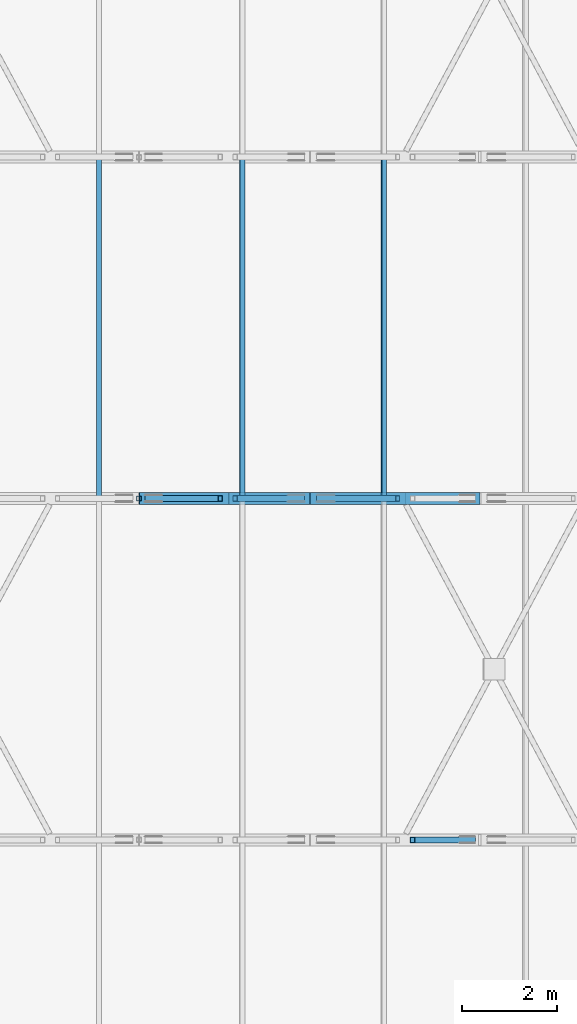
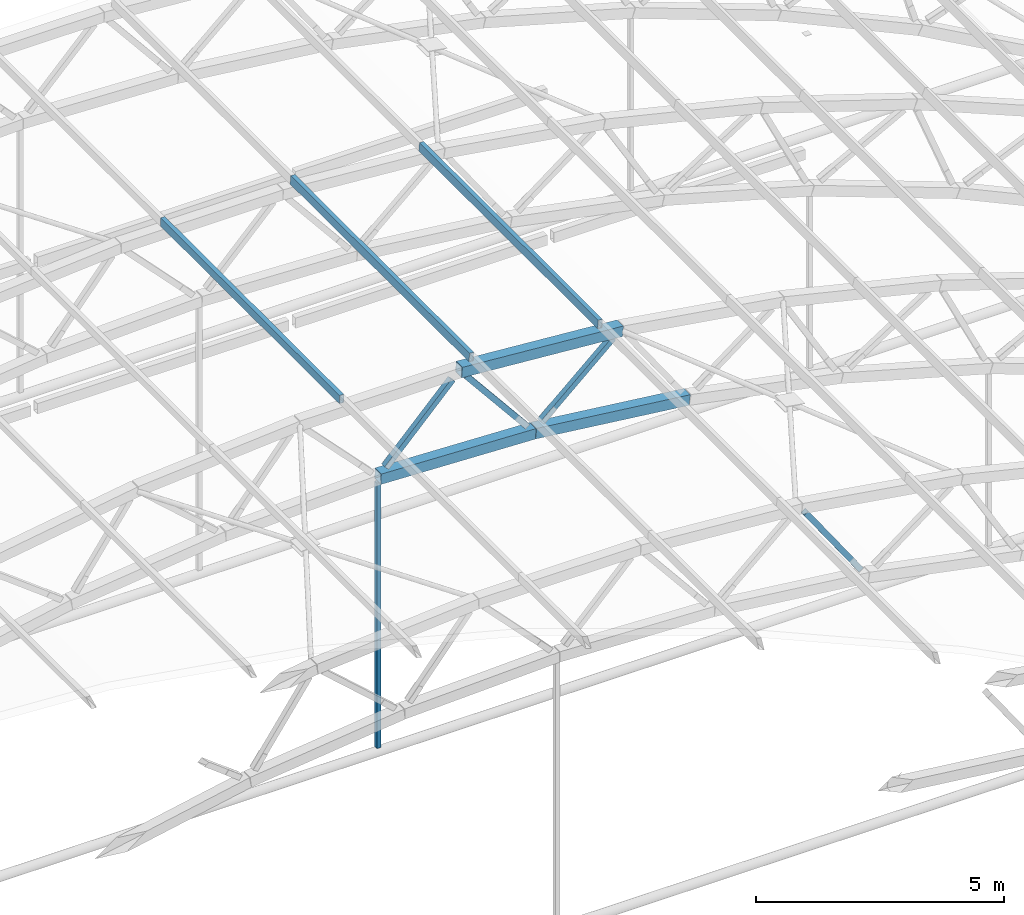
# One storey, part 22 of 127: 11 members.
"""IFC4 building model written with IfcOpenShell, lengths in metres."""

from ifc_helpers import new_model, si_unit, direction, frame, origin, origin_2d, place, context, subcontext, project, spatial, hollow_rectangle, extrude, material, material_profile, profile_set, type_object, element, save


model = new_model("IFC4")

# Units and contexts
model_context = context("Model", 3, precision=1e-05, world=origin(), true_north=direction((0.0, 1.0)))
body_context = subcontext(model_context, "Body", "Model", "MODEL_VIEW")
ifc_project = project(units=[si_unit("LENGTHUNIT", "METRE"), si_unit("AREAUNIT", "SQUARE_METRE"), si_unit("VOLUMEUNIT", "CUBIC_METRE"), si_unit("PLANEANGLEUNIT", "RADIAN"), si_unit("MASSUNIT", "GRAM", prefix="KILO")], contexts=[model_context])

# Site, building, storey
site_placement = place(None, origin())
site = spatial("IfcSite", under=ifc_project, at=site_placement, CompositionType="ELEMENT")
building_placement = place(site_placement, origin())
building = spatial("IfcBuilding", under=site, at=building_placement, Name="Verrick Yard Athletic Hall", CompositionType="ELEMENT")
storey_placement = place(building_placement, frame((0.0, 0.0, 14.0)))
storey = spatial("IfcBuildingStorey", under=building, at=storey_placement, Name="L03", CompositionType="ELEMENT", Elevation=14.0)

# Members
ifc_material = material(Name="Structural steel HSS Class C 350W (CSA G40.20/G40.21)", Category="steel")
ifc_material_profile_1 = material_profile(ifc_material, hollow_rectangle(XDim=0.25390625, YDim=0.25390625, WallThickness=0.009521484375, at=origin_2d()), Name="HSS254x254x9.5")
ifc_profile_set_1 = profile_set([ifc_material_profile_1], Name="Structural steel HSS Class C 350W (CSA G40.20/G40.21)")
member_type_1 = type_object("IfcMemberType", Name="HB bottom chord HSS254x254x9.5", PredefinedType="CHORD", material=ifc_profile_set_1)
for number, where, z_axis, x_axis, name in (
    (1, (52.0048828125, 93.60009765625, 6.757080078125), (0.999229864493, 0.0, -0.039238729647), (0.0, 1.0, 0.0), "Truss TB4 bottom chord 8"),
    (2, (55.608154296875, 93.60009765625, 6.615234375), (0.993094882284, 0.0, -0.117313915545), (0.0, 1.0, 0.0), "Truss TB4 bottom chord 9"),
):
    element("IfcMember", number, at=place(storey_placement, frame(where, z_axis=z_axis, x_axis=x_axis)), inside=storey, type_object=member_type_1, Name=name, PredefinedType="CHORD", context=body_context, shape_type="SweptSolid", body=[
        extrude(hollow_rectangle(XDim=0.25390625, YDim=0.25390625, WallThickness=0.009521484375, at=origin_2d()), origin(), (0.0, 0.0, 1.0), 3.59619140625),
    ])
ifc_material_profile_2 = material_profile(ifc_material, hollow_rectangle(XDim=0.1015625, YDim=0.203125, WallThickness=0.009521484375, at=origin_2d()), Name="HSS203x102x9.5")
ifc_profile_set_2 = profile_set([ifc_material_profile_2], Name="Structural steel HSS Class C 350W (CSA G40.20/G40.21)")
member_type_2 = type_object("IfcMemberType", Name="HB purlin HSS203x102x9.5", PredefinedType="PURLIN", material=ifc_profile_set_2)
for number, where, z_axis, x_axis, name in (
    (3, (51.15966796875, 93.60009765625, 8.948974609375), (0.0, 1.0, 0.0), (-1.0, 0.0, 0.0), "HB-PU-B-4-9"),
    (4, (54.1767578125, 93.60009765625, 8.92626953125), (0.0, 1.0, 0.0), (-0.996927304266, 0.0, 0.078332305011), "HB-PU-B-4-10"),
    (5, (57.16748046875, 93.60009765625, 8.69140625), (0.0, 1.0, 0.0), (-0.996927304266, 0.0, 0.078332305011), "HB-PU-B-4-11"),
):
    element("IfcMember", number, at=place(storey_placement, frame(where, z_axis=z_axis, x_axis=x_axis)), inside=storey, type_object=member_type_2, Name=name, PredefinedType="PURLIN", context=body_context, shape_type="SweptSolid", body=[
        extrude(hollow_rectangle(XDim=0.1015625, YDim=0.203125, WallThickness=0.009521484375, at=origin_2d()), origin(), (0.0, 0.0, 1.0), 7.199951171875),
    ])
ifc_material_profile_3 = material_profile(ifc_material, hollow_rectangle(XDim=0.25390625, YDim=0.25390625, WallThickness=0.009521484375, at=origin_2d()), Name="HSS254x254x9.5")
ifc_profile_set_3 = profile_set([ifc_material_profile_3], Name="Structural steel HSS Class C 350W (CSA G40.20/G40.21)")
member_type_3 = type_object("IfcMemberType", Name="HB top chord HSS254x254x9.5", PredefinedType="CHORD", material=ifc_profile_set_3)
member_1_placement = place(storey_placement, frame((53.886474609375, 93.60009765625, 8.719970703125), z_axis=(0.99692762922, 0.0, -0.07832816925), x_axis=(0.0, 1.0, 0.0)))
element("IfcMember", 6, at=member_1_placement, inside=storey, type_object=member_type_3, Name="Truss TB4 top chord 9", PredefinedType="CHORD", context=body_context, shape_type="SweptSolid", body=[
    extrude(hollow_rectangle(XDim=0.25390625, YDim=0.25390625, WallThickness=0.009521484375, at=origin_2d()), origin(), (0.0, 0.0, 1.0), 3.752685546875),
])
ifc_material_profile_4 = material_profile(ifc_material, hollow_rectangle(XDim=0.1015625, YDim=0.1015625, WallThickness=0.00634765625, at=origin_2d()), Name="HSS102x102x6.4")
ifc_profile_set_4 = profile_set([ifc_material_profile_4], Name="Structural steel HSS Class C 350W (CSA G40.20/G40.21)")
member_type_4 = type_object("IfcMemberType", Name="HB truss hanger HSS102x102x6.4", PredefinedType="MEMBER", material=ifc_profile_set_4)
member_2_placement = place(storey_placement, frame((52.0, 93.60009765625, 6.628173828125), z_axis=(0.0, 0.0, -1.0), x_axis=(0.0, -1.0, 0.0)))
element("IfcMember", 7, at=member_2_placement, inside=storey, type_object=member_type_4, Name="Truss TB4 hanger 2", PredefinedType="MEMBER", context=body_context, shape_type="SweptSolid", body=[
    extrude(hollow_rectangle(XDim=0.1015625, YDim=0.1015625, WallThickness=0.00634765625, at=origin_2d()), origin(), (0.0, 0.0, 1.0), 6.5185546875),
])
ifc_material_profile_5 = material_profile(ifc_material, hollow_rectangle(XDim=0.126953125, YDim=0.126953125, WallThickness=0.009521484375, at=origin_2d()), Name="HSS127x127x9.5")
ifc_profile_set_5 = profile_set([ifc_material_profile_5], Name="Structural steel HSS Class C 350W (CSA G40.20/G40.21)")
member_type_5 = type_object("IfcMemberType", Name="HB truss web HSS127x127x9.5", PredefinedType="BRACE", material=ifc_profile_set_5)
member_3_placement = place(storey_placement, frame((57.767822265625, 86.39990234375, 8.231201171875), z_axis=(0.570664111571, 0.0, -0.821183579819), x_axis=(0.0, 1.0, 0.0)))
element("IfcMember", 8, at=member_3_placement, inside=storey, type_object=member_type_5, Name="Truss TB3 web 18", PredefinedType="BRACE", context=body_context, shape_type="SweptSolid", body=[
    extrude(hollow_rectangle(XDim=0.126953125, YDim=0.126953125, WallThickness=0.009521484375, at=origin_2d()), origin(), (0.0, 0.0, 1.0), 2.233642578125),
])
member_4_placement = place(storey_placement, frame((52.172119140625, 93.60009765625, 6.936767578125), z_axis=(0.691917233653, 0.0, 0.721976829112), x_axis=(0.0, 1.0, 0.0)))
element("IfcMember", 9, at=member_4_placement, inside=storey, type_object=member_type_5, Name="Truss TB4 web 15", PredefinedType="BRACE", context=body_context, shape_type="SweptSolid", body=[
    extrude(hollow_rectangle(XDim=0.126953125, YDim=0.126953125, WallThickness=0.009521484375, at=origin_2d()), origin(), (0.0, 0.0, 1.0), 2.2333984375),
])
for number, where, z_axis, x_axis, name in (
    (10, (54.03125, 93.60009765625, 8.537109375), (0.633267548908, 0.0, -0.773932950262), (0.0, 1.0, 0.0), "Truss TB4 web 16"),
    (11, (55.788818359375, 93.60009765625, 6.781494140625), (0.746389338881, 0.0, 0.66550954524), (0.0, 1.0, 0.0), "Truss TB4 web 17"),
):
    element("IfcMember", number, at=place(storey_placement, frame(where, z_axis=z_axis, x_axis=x_axis)), inside=storey, type_object=member_type_5, Name=name, PredefinedType="BRACE", context=body_context, shape_type="SweptSolid", body=[
        extrude(hollow_rectangle(XDim=0.126953125, YDim=0.126953125, WallThickness=0.009521484375, at=origin_2d()), origin(), (0.0, 0.0, 1.0), 2.233642578125),
    ])

save(model, "model.ifc")
